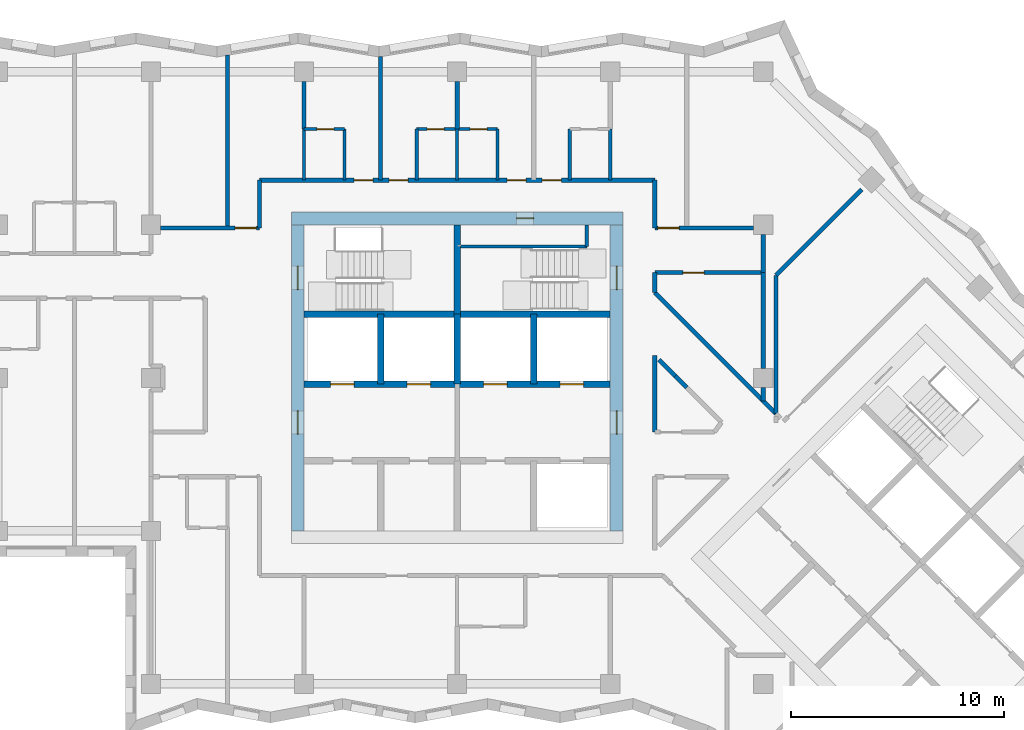
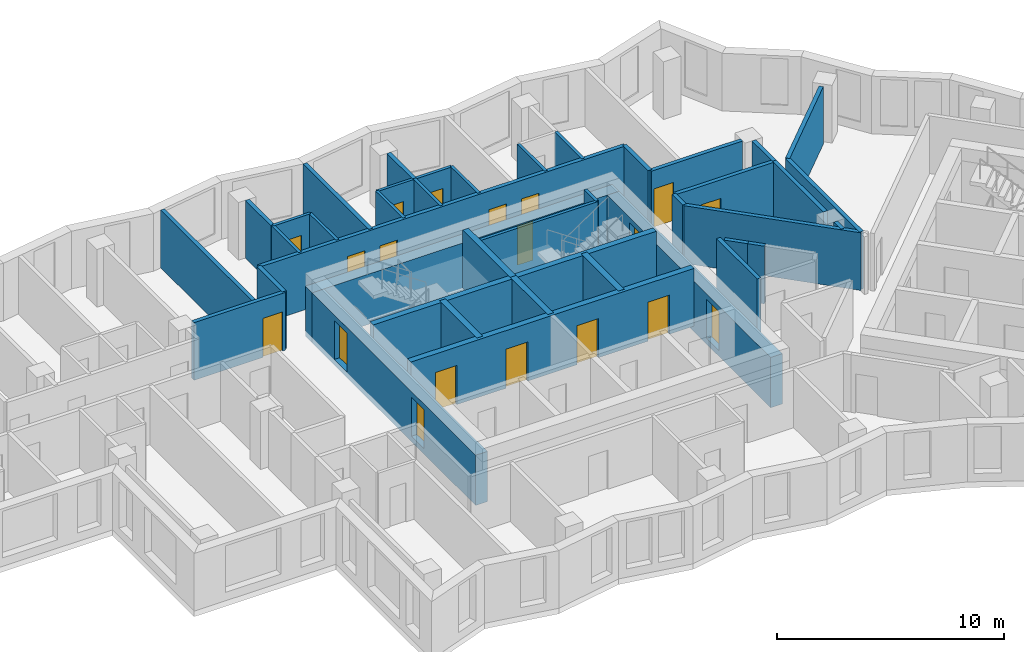
# One storey, part 6 of 13: 41 walls, 19 doors, 19 openings.
"""IFC4 building model written with IfcOpenShell, lengths in metres."""

from ifc_helpers import new_model, si_unit, direction, frame, frame_2d, origin, place, context, subcontext, project, spatial, rectangle, extrude, material, layer, layer_set, type_object, element, fill, save


model = new_model("IFC4")

# Units and contexts
model_context = context("Model", 3, precision=1e-05, world=origin(), true_north=direction((0.0, 1.0)))
body_context = subcontext(model_context, "Body", "Model", "MODEL_VIEW")
ifc_project = project(units=[si_unit("LENGTHUNIT", "METRE"), si_unit("AREAUNIT", "SQUARE_METRE"), si_unit("VOLUMEUNIT", "CUBIC_METRE"), si_unit("PLANEANGLEUNIT", "RADIAN"), si_unit("MASSUNIT", "GRAM", prefix="KILO")], contexts=[model_context])

# Site, building, storey
site_placement = place(None, origin())
site = spatial("IfcSite", under=ifc_project, at=site_placement, CompositionType="ELEMENT")
building_placement = place(site_placement, origin())
building = spatial("IfcBuilding", under=site, at=building_placement, Name="Windrow Commons", CompositionType="ELEMENT")
storey_placement = place(building_placement, frame((0.0, 0.0, 172.8)))
storey = spatial("IfcBuildingStorey", under=building, at=storey_placement, Name="L47", CompositionType="ELEMENT", Elevation=172.8)

# Wall, openings, doors
ifc_material_1 = material(Name="Blockwork partition", Category="masonry")
ifc_layer_1 = layer(ifc_material_1, 0.2)
ifc_layer_set_1 = layer_set([ifc_layer_1], Name="IW-CORRIDOR-200")
wall_type_1 = type_object("IfcWallType", Name="IW-CORRIDOR-200", PredefinedType="PARTITIONING", material=ifc_layer_set_1)
wall_1_placement = place(storey_placement, frame((55.5, 66.9, 0.0), z_axis=(0.0, 0.0, 1.0), x_axis=(1.0, 0.0, 0.0)))
wall_1 = element("IfcWall", 1, at=wall_1_placement, inside=storey, type_object=wall_type_1, Name="W-L47-W002", PredefinedType="PARTITIONING", context=body_context, shape_type="SweptSolid", body=[
    extrude(rectangle(XDim=18.6, YDim=0.2, at=frame_2d((9.3, 0.0))), origin(), (0.0, 0.0, 1.0), 3.1),
])
opening_1_placement = place(wall_1_placement, frame((4.45, 0.0, 0.0)))
opening_1 = element("IfcOpeningElement", 2, at=opening_1_placement, cuts=wall_1, Name="Opening D109S", PredefinedType="OPENING", context=body_context, shape_type="SweptSolid", body=[
    extrude(rectangle(XDim=0.9, YDim=2.1, at=frame_2d((0.45, 1.05))), frame((0.0, 0.11, 0.0), z_axis=(0.0, -1.0, 0.0), x_axis=(1.0, 0.0, 0.0)), (0.0, 0.0, 1.0), 0.22),
])
opening_2_placement = place(wall_1_placement, frame((6.1, 0.0, 0.0)))
opening_2 = element("IfcOpeningElement", 3, at=opening_2_placement, cuts=wall_1, Name="Opening D109S", PredefinedType="OPENING", context=body_context, shape_type="SweptSolid", body=[
    extrude(rectangle(XDim=0.9, YDim=2.1, at=frame_2d((0.45, 1.05))), frame((0.0, 0.11, 0.0), z_axis=(0.0, -1.0, 0.0), x_axis=(1.0, 0.0, 0.0)), (0.0, 0.0, 1.0), 0.22),
])
opening_3_placement = place(wall_1_placement, frame((11.65, 0.0, 0.0)))
opening_3 = element("IfcOpeningElement", 4, at=opening_3_placement, cuts=wall_1, Name="Opening D109S", PredefinedType="OPENING", context=body_context, shape_type="SweptSolid", body=[
    extrude(rectangle(XDim=0.9, YDim=2.1, at=frame_2d((0.45, 1.05))), frame((0.0, 0.11, 0.0), z_axis=(0.0, -1.0, 0.0), x_axis=(1.0, 0.0, 0.0)), (0.0, 0.0, 1.0), 0.22),
])
opening_4_placement = place(wall_1_placement, frame((13.3, 0.0, 0.0)))
opening_4 = element("IfcOpeningElement", 5, at=opening_4_placement, cuts=wall_1, Name="Opening D109S", PredefinedType="OPENING", context=body_context, shape_type="SweptSolid", body=[
    extrude(rectangle(XDim=0.9, YDim=2.1, at=frame_2d((0.45, 1.05))), frame((0.0, 0.11, 0.0), z_axis=(0.0, -1.0, 0.0), x_axis=(1.0, 0.0, 0.0)), (0.0, 0.0, 1.0), 0.22),
])
ifc_material_2 = material(Name="Timber door leaf", Category="wood")
door_type_1 = type_object("IfcDoorType", Name="DT-BEDROOM-900", OperationType="SINGLE_SWING_LEFT", PredefinedType="DOOR", material=ifc_material_2)
door_1_placement = place(opening_1_placement, origin())
door_1 = element("IfcDoor", 6, at=door_1_placement, inside=storey, type_object=door_type_1, Name="D-L47-D028", OperationType="SINGLE_SWING_RIGHT", OverallHeight=2.1, OverallWidth=0.9, PredefinedType="DOOR", context=body_context, shape_type="SweptSolid", body=[
    extrude(rectangle(XDim=0.9, YDim=2.1, at=frame_2d((0.45, 1.05))), frame((0.0, 0.025, 0.0), z_axis=(0.0, -1.0, 0.0), x_axis=(1.0, 0.0, 0.0)), (0.0, 0.0, 1.0), 0.05),
])
fill(opening_1, door_1)
door_2_placement = place(opening_2_placement, origin())
door_2 = element("IfcDoor", 7, at=door_2_placement, inside=storey, type_object=door_type_1, Name="D-L47-D030", OperationType="SINGLE_SWING_LEFT", OverallHeight=2.1, OverallWidth=0.9, PredefinedType="DOOR", context=body_context, shape_type="SweptSolid", body=[
    extrude(rectangle(XDim=0.9, YDim=2.1, at=frame_2d((0.45, 1.05))), frame((0.0, 0.025, 0.0), z_axis=(0.0, -1.0, 0.0), x_axis=(1.0, 0.0, 0.0)), (0.0, 0.0, 1.0), 0.05),
])
fill(opening_2, door_2)
door_3_placement = place(opening_3_placement, origin())
door_3 = element("IfcDoor", 8, at=door_3_placement, inside=storey, type_object=door_type_1, Name="D-L47-D032", OperationType="SINGLE_SWING_RIGHT", OverallHeight=2.1, OverallWidth=0.9, PredefinedType="DOOR", context=body_context, shape_type="SweptSolid", body=[
    extrude(rectangle(XDim=0.9, YDim=2.1, at=frame_2d((0.45, 1.05))), frame((0.0, 0.025, 0.0), z_axis=(0.0, -1.0, 0.0), x_axis=(1.0, 0.0, 0.0)), (0.0, 0.0, 1.0), 0.05),
])
fill(opening_3, door_3)
door_4_placement = place(opening_4_placement, origin())
door_4 = element("IfcDoor", 9, at=door_4_placement, inside=storey, type_object=door_type_1, Name="D-L47-D034", OperationType="SINGLE_SWING_LEFT", OverallHeight=2.1, OverallWidth=0.9, PredefinedType="DOOR", context=body_context, shape_type="SweptSolid", body=[
    extrude(rectangle(XDim=0.9, YDim=2.1, at=frame_2d((0.45, 1.05))), frame((0.0, 0.025, 0.0), z_axis=(0.0, -1.0, 0.0), x_axis=(1.0, 0.0, 0.0)), (0.0, 0.0, 1.0), 0.05),
])
fill(opening_4, door_4)

# Wall
wall_2_placement = place(storey_placement, frame((74.097, 61.611, 0.0), z_axis=(0.0, 0.0, 1.0), x_axis=(0.7071067812, -0.7071067812, 0.0)))
element("IfcWall", 10, at=wall_2_placement, inside=storey, type_object=wall_type_1, Name="W-L47-W016", PredefinedType="PARTITIONING", context=body_context, shape_type="SweptSolid", body=[
    extrude(rectangle(XDim=8.061, YDim=0.2, at=frame_2d((4.0305, 0.0))), origin(), (0.0, 0.0, 1.0), 3.1),
])

# Wall, opening, door
wall_3_placement = place(storey_placement, frame((74.102, 62.55, 0.0), z_axis=(0.0, 0.0, 1.0), x_axis=(1.0, 0.0, 0.0)))
wall_3 = element("IfcWall", 11, at=wall_3_placement, inside=storey, type_object=wall_type_1, Name="W-L47-W036", PredefinedType="PARTITIONING", context=body_context, shape_type="SweptSolid", body=[
    extrude(rectangle(XDim=5.098, YDim=0.2, at=frame_2d((2.549, 0.0))), origin(), (0.0, 0.0, 1.0), 3.1),
])
opening_5_placement = place(wall_3_placement, frame((1.3192, 0.0, 0.0)))
opening_5 = element("IfcOpeningElement", 12, at=opening_5_placement, cuts=wall_3, Name="Opening D310F", PredefinedType="OPENING", context=body_context, shape_type="SweptSolid", body=[
    extrude(rectangle(XDim=1.0, YDim=2.1, at=frame_2d((0.5, 1.05))), frame((0.0, 0.11, 0.0), z_axis=(0.0, -1.0, 0.0), x_axis=(1.0, 0.0, 0.0)), (0.0, 0.0, 1.0), 0.22),
])
ifc_material_3 = material(Name="Timber door leaf", Category="wood")
door_type_2 = type_object("IfcDoorType", Name="DT-AMENITY-1000", OperationType="SINGLE_SWING_LEFT", PredefinedType="DOOR", material=ifc_material_3)
door_5_placement = place(opening_5_placement, origin())
door_5 = element("IfcDoor", 13, at=door_5_placement, inside=storey, type_object=door_type_2, Name="D-L47-D040", OperationType="SINGLE_SWING_RIGHT", OverallHeight=2.1, OverallWidth=1.0, PredefinedType="DOOR", context=body_context, shape_type="SweptSolid", body=[
    extrude(rectangle(XDim=1.0, YDim=2.1, at=frame_2d((0.5, 1.05))), frame((0.0, 0.025, 0.0), z_axis=(0.0, -1.0, 0.0), x_axis=(1.0, 0.0, 0.0)), (0.0, 0.0, 1.0), 0.05),
])
fill(opening_5, door_5)

wall_4_placement = place(storey_placement, frame((50.85, 64.65, 0.0), z_axis=(0.0, 0.0, 1.0), x_axis=(1.0, 0.0, 0.0)))
wall_4 = element("IfcWall", 14, at=wall_4_placement, inside=storey, type_object=wall_type_1, Name="W-L47-W041", PredefinedType="PARTITIONING", context=body_context, shape_type="SweptSolid", body=[
    extrude(rectangle(XDim=4.65, YDim=0.2, at=frame_2d((2.325, 0.0))), origin(), (0.0, 0.0, 1.0), 3.1),
])
opening_6_placement = place(wall_4_placement, frame((3.5085, 0.0, 0.0)))
opening_6 = element("IfcOpeningElement", 15, at=opening_6_placement, cuts=wall_4, Name="Opening D310F", PredefinedType="OPENING", context=body_context, shape_type="SweptSolid", body=[
    extrude(rectangle(XDim=1.0, YDim=2.1, at=frame_2d((0.5, 1.05))), frame((0.0, 0.11, 0.0), z_axis=(0.0, -1.0, 0.0), x_axis=(1.0, 0.0, 0.0)), (0.0, 0.0, 1.0), 0.22),
])
door_6_placement = place(opening_6_placement, origin())
door_6 = element("IfcDoor", 16, at=door_6_placement, inside=storey, type_object=door_type_2, Name="D-L47-D022", OperationType="SINGLE_SWING_LEFT", OverallHeight=2.1, OverallWidth=1.0, PredefinedType="DOOR", context=body_context, shape_type="SweptSolid", body=[
    extrude(rectangle(XDim=1.0, YDim=2.1, at=frame_2d((0.5, 1.05))), frame((0.0, 0.025, 0.0), z_axis=(0.0, -1.0, 0.0), x_axis=(1.0, 0.0, 0.0)), (0.0, 0.0, 1.0), 0.05),
])
fill(opening_6, door_6)

wall_5_placement = place(storey_placement, frame((74.102, 64.65, 0.0), z_axis=(0.0, 0.0, 1.0), x_axis=(1.0, 0.0, 0.0)))
wall_5 = element("IfcWall", 17, at=wall_5_placement, inside=storey, type_object=wall_type_1, Name="W-L47-W044", PredefinedType="PARTITIONING", context=body_context, shape_type="SweptSolid", body=[
    extrude(rectangle(XDim=4.648, YDim=0.2, at=frame_2d((2.324, 0.0))), origin(), (0.0, 0.0, 1.0), 3.1),
])
opening_7_placement = place(wall_5_placement, frame((0.1395, 0.0, 0.0)))
opening_7 = element("IfcOpeningElement", 18, at=opening_7_placement, cuts=wall_5, Name="Opening D310F", PredefinedType="OPENING", context=body_context, shape_type="SweptSolid", body=[
    extrude(rectangle(XDim=1.0, YDim=2.1, at=frame_2d((0.5, 1.05))), frame((0.0, 0.11, 0.0), z_axis=(0.0, -1.0, 0.0), x_axis=(1.0, 0.0, 0.0)), (0.0, 0.0, 1.0), 0.22),
])
door_7_placement = place(opening_7_placement, origin())
door_7 = element("IfcDoor", 19, at=door_7_placement, inside=storey, type_object=door_type_2, Name="D-L47-D023", OperationType="SINGLE_SWING_RIGHT", OverallHeight=2.1, OverallWidth=1.0, PredefinedType="DOOR", context=body_context, shape_type="SweptSolid", body=[
    extrude(rectangle(XDim=1.0, YDim=2.1, at=frame_2d((0.5, 1.05))), frame((0.0, 0.025, 0.0), z_axis=(0.0, -1.0, 0.0), x_axis=(1.0, 0.0, 0.0)), (0.0, 0.0, 1.0), 0.05),
])
fill(opening_7, door_7)

# Walls
wall_6_placement = place(storey_placement, frame((74.1, 55.05, 0.0), z_axis=(0.0, 0.0, 1.0), x_axis=(0.0, 1.0, 0.0)))
element("IfcWall", 20, at=wall_6_placement, inside=storey, type_object=wall_type_1, Name="W-L47-W054", PredefinedType="PARTITIONING", context=body_context, shape_type="SweptSolid", body=[
    extrude(rectangle(XDim=3.592, YDim=0.2, at=frame_2d((1.796, 0.0))), origin(), (0.0, 0.0, 1.0), 3.1),
])
for number, where, z_axis, x_axis, name in (
    (21, (55.5, 64.652, 0.0), (0.0, 0.0, 1.0), (0.0, 1.0, 0.0), "W-L47-W107"),
    (22, (74.1, 64.652, 0.0), (0.0, 0.0, 1.0), (0.0, 1.0, 0.0), "W-L47-W108"),
):
    element("IfcWall", number, at=place(storey_placement, frame(where, z_axis=z_axis, x_axis=x_axis)), inside=storey, type_object=wall_type_1, Name=name, PredefinedType="PARTITIONING", context=body_context, shape_type="SweptSolid", body=[
        extrude(rectangle(XDim=2.248, YDim=0.2, at=frame_2d((1.124, 0.0))), origin(), (0.0, 0.0, 1.0), 3.1),
    ])
wall_7_placement = place(storey_placement, frame((79.2, 62.55, 0.0), z_axis=(0.0, 0.0, 1.0), x_axis=(0.0, 1.0, 0.0)))
element("IfcWall", 23, at=wall_7_placement, inside=storey, type_object=wall_type_1, Name="W-L47-W127", PredefinedType="PARTITIONING", context=body_context, shape_type="SweptSolid", body=[
    extrude(rectangle(XDim=1.8, YDim=0.2, at=frame_2d((0.9, 0.0))), origin(), (0.0, 0.0, 1.0), 3.1),
])
wall_8_placement = place(storey_placement, frame((74.3004, 58.4444, 0.0), z_axis=(0.0, 0.0, 1.0), x_axis=(0.7080329185, -0.7061794292, 0.0)))
element("IfcWall", 24, at=wall_8_placement, inside=storey, type_object=wall_type_1, Name="W-L47-W131", PredefinedType="PARTITIONING", context=body_context, shape_type="SweptSolid", body=[
    extrude(rectangle(XDim=1.079, YDim=0.2, at=frame_2d((0.5395, 0.0))), origin(), (0.0, 0.0, 1.0), 3.1),
])
wall_9_placement = place(storey_placement, frame((74.1, 61.614, 0.0), z_axis=(0.0, 0.0, 1.0), x_axis=(0.0, 1.0, 0.0)))
element("IfcWall", 25, at=wall_9_placement, inside=storey, type_object=wall_type_1, Name="W-L47-W136", PredefinedType="PARTITIONING", context=body_context, shape_type="SweptSolid", body=[
    extrude(rectangle(XDim=0.936, YDim=0.2, at=frame_2d((0.468, 0.0))), origin(), (0.0, 0.0, 1.0), 3.1),
])
wall_10_placement = place(storey_placement, frame((75.0652, 57.6832, 0.0), z_axis=(0.0, 0.0, 1.0), x_axis=(0.705788785, -0.7084223253, 0.0)))
element("IfcWall", 26, at=wall_10_placement, inside=storey, type_object=wall_type_1, Name="W-L47-W143", PredefinedType="PARTITIONING", context=body_context, shape_type="SweptSolid", body=[
    extrude(rectangle(XDim=0.7594, YDim=0.2, at=frame_2d((0.3797, 0.0))), origin(), (0.0, 0.0, 1.0), 3.1),
])

# Wall, openings, doors
ifc_material_4 = material(Name="Blockwork partition", Category="masonry")
ifc_layer_2 = layer(ifc_material_4, 0.15)
ifc_layer_set_2 = layer_set([ifc_layer_2], Name="IW-ENSUITE-150")
wall_type_2 = type_object("IfcWallType", Name="IW-ENSUITE-150", PredefinedType="PARTITIONING", material=ifc_layer_set_2)
wall_11_placement = place(storey_placement, frame((62.9, 69.3, 0.0), z_axis=(0.0, 0.0, 1.0), x_axis=(1.0, 0.0, 0.0)))
wall_11 = element("IfcWall", 27, at=wall_11_placement, inside=storey, type_object=wall_type_2, Name="W-L47-W052", PredefinedType="PARTITIONING", context=body_context, shape_type="SweptSolid", body=[
    extrude(rectangle(XDim=3.8, YDim=0.15, at=frame_2d((1.9, 0.0))), origin(), (0.0, 0.0, 1.0), 3.1),
])
opening_8_placement = place(wall_11_placement, frame((0.4931, 0.0, 0.0)))
opening_8 = element("IfcOpeningElement", 28, at=opening_8_placement, cuts=wall_11, Name="Opening D208N", PredefinedType="OPENING", context=body_context, shape_type="SweptSolid", body=[
    extrude(rectangle(XDim=0.8, YDim=2.1, at=frame_2d((0.4, 1.05))), frame((0.0, 0.085, 0.0), z_axis=(0.0, -1.0, 0.0), x_axis=(1.0, 0.0, 0.0)), (0.0, 0.0, 1.0), 0.17),
])
opening_9_placement = place(wall_11_placement, frame((2.5069, 0.0, 0.0)))
opening_9 = element("IfcOpeningElement", 29, at=opening_9_placement, cuts=wall_11, Name="Opening D208N", PredefinedType="OPENING", context=body_context, shape_type="SweptSolid", body=[
    extrude(rectangle(XDim=0.8, YDim=2.1, at=frame_2d((0.4, 1.05))), frame((0.0, 0.085, 0.0), z_axis=(0.0, -1.0, 0.0), x_axis=(1.0, 0.0, 0.0)), (0.0, 0.0, 1.0), 0.17),
])
ifc_material_5 = material(Name="Timber door leaf", Category="wood")
door_type_3 = type_object("IfcDoorType", Name="DT-ENSUITE-800", OperationType="SINGLE_SWING_LEFT", PredefinedType="DOOR", material=ifc_material_5)
door_8_placement = place(opening_8_placement, origin())
door_8 = element("IfcDoor", 30, at=door_8_placement, inside=storey, type_object=door_type_3, Name="D-L47-D031", OperationType="SINGLE_SWING_RIGHT", OverallHeight=2.1, OverallWidth=0.8, PredefinedType="DOOR", context=body_context, shape_type="SweptSolid", body=[
    extrude(rectangle(XDim=0.8, YDim=2.1, at=frame_2d((0.4, 1.05))), frame((0.0, 0.025, 0.0), z_axis=(0.0, -1.0, 0.0), x_axis=(1.0, 0.0, 0.0)), (0.0, 0.0, 1.0), 0.05),
])
fill(opening_8, door_8)
door_9_placement = place(opening_9_placement, origin())
door_9 = element("IfcDoor", 31, at=door_9_placement, inside=storey, type_object=door_type_3, Name="D-L47-D033", OperationType="SINGLE_SWING_RIGHT", OverallHeight=2.1, OverallWidth=0.8, PredefinedType="DOOR", context=body_context, shape_type="SweptSolid", body=[
    extrude(rectangle(XDim=0.8, YDim=2.1, at=frame_2d((0.4, 1.05))), frame((0.0, 0.025, 0.0), z_axis=(0.0, -1.0, 0.0), x_axis=(1.0, 0.0, 0.0)), (0.0, 0.0, 1.0), 0.05),
])
fill(opening_9, door_9)

# Walls
for number, where, z_axis, x_axis, name in (
    (32, (57.6, 66.9, 0.0), (0.0, 0.0, 1.0), (0.0, 1.0, 0.0), "W-L47-W086"),
    (33, (59.5, 66.9, 0.0), (0.0, 0.0, 1.0), (0.0, 1.0, 0.0), "W-L47-W087"),
    (34, (62.9, 66.9, 0.0), (0.0, 0.0, 1.0), (0.0, 1.0, 0.0), "W-L47-W088"),
    (35, (64.8, 66.9, 0.0), (0.0, 0.0, 1.0), (0.0, 1.0, 0.0), "W-L47-W089"),
    (36, (66.7, 66.9, 0.0), (0.0, 0.0, 1.0), (0.0, 1.0, 0.0), "W-L47-W090"),
    (37, (70.1, 66.9, 0.0), (0.0, 0.0, 1.0), (0.0, 1.0, 0.0), "W-L47-W091"),
    (38, (72.0, 66.9, 0.0), (0.0, 0.0, 1.0), (0.0, 1.0, 0.0), "W-L47-W092"),
):
    element("IfcWall", number, at=place(storey_placement, frame(where, z_axis=z_axis, x_axis=x_axis)), inside=storey, type_object=wall_type_2, Name=name, PredefinedType="PARTITIONING", context=body_context, shape_type="SweptSolid", body=[
        extrude(rectangle(XDim=2.4, YDim=0.15, at=frame_2d((1.2, 0.0))), origin(), (0.0, 0.0, 1.0), 3.1),
    ])

# Wall, opening, door
wall_12_placement = place(storey_placement, frame((57.6, 69.3, 0.0), z_axis=(0.0, 0.0, 1.0), x_axis=(1.0, 0.0, 0.0)))
wall_12 = element("IfcWall", 39, at=wall_12_placement, inside=storey, type_object=wall_type_2, Name="W-L47-W124", PredefinedType="PARTITIONING", context=body_context, shape_type="SweptSolid", body=[
    extrude(rectangle(XDim=1.9, YDim=0.15, at=frame_2d((0.95, 0.0))), origin(), (0.0, 0.0, 1.0), 3.1),
])
opening_10_placement = place(wall_12_placement, frame((0.6069, 0.0, 0.0)))
opening_10 = element("IfcOpeningElement", 40, at=opening_10_placement, cuts=wall_12, Name="Opening D208N", PredefinedType="OPENING", context=body_context, shape_type="SweptSolid", body=[
    extrude(rectangle(XDim=0.8, YDim=2.1, at=frame_2d((0.4, 1.05))), frame((0.0, 0.085, 0.0), z_axis=(0.0, -1.0, 0.0), x_axis=(1.0, 0.0, 0.0)), (0.0, 0.0, 1.0), 0.17),
])
door_10_placement = place(opening_10_placement, origin())
door_10 = element("IfcDoor", 41, at=door_10_placement, inside=storey, type_object=door_type_3, Name="D-L47-D029", OperationType="SINGLE_SWING_RIGHT", OverallHeight=2.1, OverallWidth=0.8, PredefinedType="DOOR", context=body_context, shape_type="SweptSolid", body=[
    extrude(rectangle(XDim=0.8, YDim=2.1, at=frame_2d((0.4, 1.05))), frame((0.0, 0.025, 0.0), z_axis=(0.0, -1.0, 0.0), x_axis=(1.0, 0.0, 0.0)), (0.0, 0.0, 1.0), 0.05),
])
fill(opening_10, door_10)

# Walls
ifc_material_6 = material(Name="Blockwork partition", Category="masonry")
ifc_layer_3 = layer(ifc_material_6, 0.2)
ifc_layer_set_3 = layer_set([ifc_layer_3], Name="IW-PARTY-200")
wall_type_3 = type_object("IfcWallType", Name="IW-PARTY-200", PredefinedType="PARTITIONING", material=ifc_layer_set_3)
wall_13_placement = place(storey_placement, frame((54.0, 64.65, 0.0), z_axis=(0.0, 0.0, 1.0), x_axis=(0.0, 1.0, 0.0)))
element("IfcWall", 42, at=wall_13_placement, inside=storey, type_object=wall_type_3, Name="W-L47-W015", PredefinedType="PARTITIONING", context=body_context, shape_type="SweptSolid", body=[
    extrude(rectangle(XDim=8.1261, YDim=0.2, at=frame_2d((4.063, 0.0))), origin(), (0.0, 0.0, 1.0), 3.1),
])
wall_14_placement = place(storey_placement, frame((79.8, 55.914, 0.0), z_axis=(0.0, 0.0, 1.0), x_axis=(0.0, 1.0, 0.0)))
element("IfcWall", 43, at=wall_14_placement, inside=storey, type_object=wall_type_3, Name="W-L47-W021", PredefinedType="PARTITIONING", context=body_context, shape_type="SweptSolid", body=[
    extrude(rectangle(XDim=6.504, YDim=0.2, at=frame_2d((3.252, 0.0))), origin(), (0.0, 0.0, 1.0), 3.1),
])
wall_15_placement = place(storey_placement, frame((61.2, 66.9, 0.0), z_axis=(0.0, 0.0, 1.0), x_axis=(0.0, 1.0, 0.0)))
element("IfcWall", 44, at=wall_15_placement, inside=storey, type_object=wall_type_3, Name="W-L47-W031", PredefinedType="PARTITIONING", context=body_context, shape_type="SweptSolid", body=[
    extrude(rectangle(XDim=5.8048, YDim=0.2, at=frame_2d((2.9024, 0.0))), origin(), (0.0, 0.0, 1.0), 3.1),
])
wall_16_placement = place(storey_placement, frame((79.7993, 62.4187, 0.0), z_axis=(0.0, 0.0, 1.0), x_axis=(0.7071067812, 0.7071067812, 0.0)))
element("IfcWall", 45, at=wall_16_placement, inside=storey, type_object=wall_type_3, Name="W-L47-W032", PredefinedType="PARTITIONING", context=body_context, shape_type="SweptSolid", body=[
    extrude(rectangle(XDim=5.7163, YDim=0.2, at=frame_2d((2.8582, 0.0))), origin(), (0.0, 0.0, 1.0), 3.1),
])
wall_17_placement = place(storey_placement, frame((79.2, 58.05, 0.0), z_axis=(0.0, 0.0, 1.0), x_axis=(0.0, 1.0, 0.0)))
element("IfcWall", 46, at=wall_17_placement, inside=storey, type_object=wall_type_3, Name="W-L47-W046", PredefinedType="PARTITIONING", context=body_context, shape_type="SweptSolid", body=[
    extrude(rectangle(XDim=4.5, YDim=0.2, at=frame_2d((2.25, 0.0))), origin(), (0.0, 0.0, 1.0), 3.1),
])
for number, where, z_axis, x_axis, name in (
    (47, (57.6, 69.3, 0.0), (0.0, 0.0, 1.0), (0.0, 1.0, 0.0), "W-L47-W103"),
    (48, (64.8, 69.3, 0.0), (0.0, 0.0, 1.0), (0.0, 1.0, 0.0), "W-L47-W105"),
):
    element("IfcWall", number, at=place(storey_placement, frame(where, z_axis=z_axis, x_axis=x_axis)), inside=storey, type_object=wall_type_3, Name=name, PredefinedType="PARTITIONING", context=body_context, shape_type="SweptSolid", body=[
        extrude(rectangle(XDim=2.25, YDim=0.2, at=frame_2d((1.125, 0.0))), origin(), (0.0, 0.0, 1.0), 3.1),
    ])
wall_18_placement = place(storey_placement, frame((79.2, 56.514, 0.0), z_axis=(0.0, 0.0, 1.0), x_axis=(0.0, 1.0, 0.0)))
element("IfcWall", 49, at=wall_18_placement, inside=storey, type_object=wall_type_3, Name="W-L47-W148", PredefinedType="PARTITIONING", context=body_context, shape_type="SweptSolid", body=[
    extrude(rectangle(XDim=0.636, YDim=0.2, at=frame_2d((0.318, 0.0))), origin(), (0.0, 0.0, 1.0), 3.1),
])

# Wall, opening, door
ifc_material_7 = material(Name="Concrete C50/60", Category="concrete")
ifc_layer_4 = layer(ifc_material_7, 0.6)
ifc_layer_set_4 = layer_set([ifc_layer_4], Name="RC CORE WALL 600 C50/60")
wall_type_4 = type_object("IfcWallType", Name="RC CORE WALL 600 C50/60", PredefinedType="SHEAR", material=ifc_layer_set_4)
wall_19_placement = place(storey_placement, frame((57.0, 65.1, -0.3), z_axis=(0.0, 0.0, 1.0), x_axis=(1.0, 0.0, 0.0)))
wall_19 = element("IfcWall", 50, at=wall_19_placement, inside=storey, type_object=wall_type_4, Name="Core A wall outer-N", PredefinedType="SHEAR", context=body_context, shape_type="SweptSolid", body=[
    extrude(rectangle(XDim=15.6, YDim=0.6, at=frame_2d((7.8, 0.0))), origin(), (0.0, 0.0, 1.0), 2.7),
])
opening_11_placement = place(wall_19_placement, frame((10.6, 0.0, 0.3)))
opening_11 = element("IfcOpeningElement", 51, at=opening_11_placement, cuts=wall_19, Name="Opening D9", PredefinedType="OPENING", context=body_context, shape_type="SweptSolid", body=[
    extrude(rectangle(XDim=0.8, YDim=2.1, at=frame_2d((0.4, 1.05))), frame((0.0, 0.31, 0.0), z_axis=(0.0, -1.0, 0.0), x_axis=(1.0, 0.0, 0.0)), (0.0, 0.0, 1.0), 0.62),
])
ifc_material_8 = material(Name="Steel fire door leaf", Category="steel")
door_type_4 = type_object("IfcDoorType", Name="Riser access door 800", OperationType="SINGLE_SWING_LEFT", PredefinedType="DOOR", material=ifc_material_8)
door_11_placement = place(opening_11_placement, origin())
door_11 = element("IfcDoor", 52, at=door_11_placement, inside=storey, type_object=door_type_4, Name="Riser access door", OperationType="SINGLE_SWING_RIGHT", OverallHeight=2.1, OverallWidth=0.8, PredefinedType="DOOR", context=body_context, shape_type="SweptSolid", body=[
    extrude(rectangle(XDim=0.8, YDim=2.1, at=frame_2d((0.4, 1.05))), frame((0.0, 0.025, 0.0), z_axis=(0.0, -1.0, 0.0), x_axis=(1.0, 0.0, 0.0)), (0.0, 0.0, 1.0), 0.05),
])
fill(opening_11, door_11)

# Wall, openings, doors
wall_20_placement = place(storey_placement, frame((57.3, 50.4, -0.3), z_axis=(0.0, 0.0, 1.0), x_axis=(0.0, 1.0, 0.0)))
wall_20 = element("IfcWall", 53, at=wall_20_placement, inside=storey, type_object=wall_type_4, Name="Core A wall outer-W", PredefinedType="SHEAR", context=body_context, shape_type="SweptSolid", body=[
    extrude(rectangle(XDim=14.4, YDim=0.6, at=frame_2d((7.2, 0.0))), origin(), (0.0, 0.0, 1.0), 2.7),
])
opening_12_placement = place(wall_20_placement, frame((4.55, 0.0, 0.3)))
opening_12 = element("IfcOpeningElement", 54, at=opening_12_placement, cuts=wall_20, Name="Opening D6", PredefinedType="OPENING", context=body_context, shape_type="SweptSolid", body=[
    extrude(rectangle(XDim=1.1, YDim=2.1, at=frame_2d((0.55, 1.05))), frame((0.0, 0.31, 0.0), z_axis=(0.0, -1.0, 0.0), x_axis=(1.0, 0.0, 0.0)), (0.0, 0.0, 1.0), 0.62),
])
opening_13_placement = place(wall_20_placement, frame((11.35, 0.0, 0.3)))
opening_13 = element("IfcOpeningElement", 55, at=opening_13_placement, cuts=wall_20, Name="Opening D7", PredefinedType="OPENING", context=body_context, shape_type="SweptSolid", body=[
    extrude(rectangle(XDim=1.1, YDim=2.1, at=frame_2d((0.55, 1.05))), frame((0.0, 0.31, 0.0), z_axis=(0.0, -1.0, 0.0), x_axis=(1.0, 0.0, 0.0)), (0.0, 0.0, 1.0), 0.62),
])
ifc_material_9 = material(Name="Steel fire door leaf", Category="steel")
door_type_5 = type_object("IfcDoorType", Name="Core lobby door 1100", OperationType="SINGLE_SWING_LEFT", PredefinedType="DOOR", material=ifc_material_9)
door_12_placement = place(opening_12_placement, origin())
door_12 = element("IfcDoor", 56, at=door_12_placement, inside=storey, type_object=door_type_5, Name="Lift lobby door", OperationType="DOUBLE_DOOR_SINGLE_SWING", OverallHeight=2.1, OverallWidth=1.1, PredefinedType="DOOR", context=body_context, shape_type="SweptSolid", body=[
    extrude(rectangle(XDim=1.1, YDim=2.1, at=frame_2d((0.55, 1.05))), frame((0.0, 0.025, 0.0), z_axis=(0.0, -1.0, 0.0), x_axis=(1.0, 0.0, 0.0)), (0.0, 0.0, 1.0), 0.05),
])
fill(opening_12, door_12)
ifc_material_10 = material(Name="Steel fire door leaf", Category="steel")
door_type_6 = type_object("IfcDoorType", Name="Stair door 1100", OperationType="SINGLE_SWING_LEFT", PredefinedType="DOOR", material=ifc_material_10)
door_13_placement = place(opening_13_placement, origin())
door_13 = element("IfcDoor", 57, at=door_13_placement, inside=storey, type_object=door_type_6, Name="Stair door", OperationType="SINGLE_SWING_LEFT", OverallHeight=2.1, OverallWidth=1.1, PredefinedType="DOOR", context=body_context, shape_type="SweptSolid", body=[
    extrude(rectangle(XDim=1.1, YDim=2.1, at=frame_2d((0.55, 1.05))), frame((0.0, 0.025, 0.0), z_axis=(0.0, -1.0, 0.0), x_axis=(1.0, 0.0, 0.0)), (0.0, 0.0, 1.0), 0.05),
])
fill(opening_13, door_13)

wall_21_placement = place(storey_placement, frame((72.3, 50.4, -0.3), z_axis=(0.0, 0.0, 1.0), x_axis=(0.0, 1.0, 0.0)))
wall_21 = element("IfcWall", 58, at=wall_21_placement, inside=storey, type_object=wall_type_4, Name="Core A wall outer-E", PredefinedType="SHEAR", context=body_context, shape_type="SweptSolid", body=[
    extrude(rectangle(XDim=14.4, YDim=0.6, at=frame_2d((7.2, 0.0))), origin(), (0.0, 0.0, 1.0), 2.7),
])
opening_14_placement = place(wall_21_placement, frame((4.55, 0.0, 0.3)))
opening_14 = element("IfcOpeningElement", 59, at=opening_14_placement, cuts=wall_21, Name="Opening D6", PredefinedType="OPENING", context=body_context, shape_type="SweptSolid", body=[
    extrude(rectangle(XDim=1.1, YDim=2.1, at=frame_2d((0.55, 1.05))), frame((0.0, 0.31, 0.0), z_axis=(0.0, -1.0, 0.0), x_axis=(1.0, 0.0, 0.0)), (0.0, 0.0, 1.0), 0.62),
])
opening_15_placement = place(wall_21_placement, frame((11.35, 0.0, 0.3)))
opening_15 = element("IfcOpeningElement", 60, at=opening_15_placement, cuts=wall_21, Name="Opening D7", PredefinedType="OPENING", context=body_context, shape_type="SweptSolid", body=[
    extrude(rectangle(XDim=1.1, YDim=2.1, at=frame_2d((0.55, 1.05))), frame((0.0, 0.31, 0.0), z_axis=(0.0, -1.0, 0.0), x_axis=(1.0, 0.0, 0.0)), (0.0, 0.0, 1.0), 0.62),
])
door_14_placement = place(opening_14_placement, origin())
door_14 = element("IfcDoor", 61, at=door_14_placement, inside=storey, type_object=door_type_5, Name="Lift lobby door", OperationType="DOUBLE_DOOR_SINGLE_SWING", OverallHeight=2.1, OverallWidth=1.1, PredefinedType="DOOR", context=body_context, shape_type="SweptSolid", body=[
    extrude(rectangle(XDim=1.1, YDim=2.1, at=frame_2d((0.55, 1.05))), frame((0.0, 0.025, 0.0), z_axis=(0.0, -1.0, 0.0), x_axis=(1.0, 0.0, 0.0)), (0.0, 0.0, 1.0), 0.05),
])
fill(opening_14, door_14)
door_15_placement = place(opening_15_placement, origin())
door_15 = element("IfcDoor", 62, at=door_15_placement, inside=storey, type_object=door_type_6, Name="Stair door", OperationType="SINGLE_SWING_RIGHT", OverallHeight=2.1, OverallWidth=1.1, PredefinedType="DOOR", context=body_context, shape_type="SweptSolid", body=[
    extrude(rectangle(XDim=1.1, YDim=2.1, at=frame_2d((0.55, 1.05))), frame((0.0, 0.025, 0.0), z_axis=(0.0, -1.0, 0.0), x_axis=(1.0, 0.0, 0.0)), (0.0, 0.0, 1.0), 0.05),
])
fill(opening_15, door_15)

# Walls
ifc_material_11 = material(Name="Concrete C50/60", Category="concrete")
ifc_layer_5 = layer(ifc_material_11, 0.3)
ifc_layer_set_5 = layer_set([ifc_layer_5], Name="RC SHAFT WALL 300 C50/60")
wall_type_5 = type_object("IfcWallType", Name="RC SHAFT WALL 300 C50/60", PredefinedType="SOLIDWALL", material=ifc_layer_set_5)
for number, where, z_axis, x_axis, name in (
    (63, (61.2, 57.3, 0.0), (0.0, 0.0, 1.0), (0.0, 1.0, 0.0), "Core A wall shaft-N1"),
    (64, (64.8, 57.3, 0.0), (0.0, 0.0, 1.0), (0.0, 1.0, 0.0), "Core A wall shaft-N2"),
    (65, (68.4, 57.3, 0.0), (0.0, 0.0, 1.0), (0.0, 1.0, 0.0), "Core A wall shaft-N3"),
):
    element("IfcWall", number, at=place(storey_placement, frame(where, z_axis=z_axis, x_axis=x_axis)), inside=storey, type_object=wall_type_5, Name=name, PredefinedType="SOLIDWALL", context=body_context, shape_type="SweptSolid", body=[
        extrude(rectangle(XDim=3.3, YDim=0.3, at=frame_2d((1.65, 0.0))), origin(), (0.0, 0.0, 1.0), 3.1),
    ])

# Wall, openings, doors
wall_22_placement = place(storey_placement, frame((57.6, 57.3, 0.0), z_axis=(0.0, 0.0, 1.0), x_axis=(1.0, 0.0, 0.0)))
wall_22 = element("IfcWall", 66, at=wall_22_placement, inside=storey, type_object=wall_type_5, Name="Core A wall lobby-N", PredefinedType="SOLIDWALL", context=body_context, shape_type="SweptSolid", body=[
    extrude(rectangle(XDim=14.4, YDim=0.3, at=frame_2d((7.2, 0.0))), origin(), (0.0, 0.0, 1.0), 3.1),
])
opening_16_placement = place(wall_22_placement, frame((1.25, 0.0, 0.0)))
opening_16 = element("IfcOpeningElement", 67, at=opening_16_placement, cuts=wall_22, Name="Opening LD", PredefinedType="OPENING", context=body_context, shape_type="SweptSolid", body=[
    extrude(rectangle(XDim=1.1, YDim=2.1, at=frame_2d((0.55, 1.05))), frame((0.0, 0.16, 0.0), z_axis=(0.0, -1.0, 0.0), x_axis=(1.0, 0.0, 0.0)), (0.0, 0.0, 1.0), 0.32),
])
opening_17_placement = place(wall_22_placement, frame((4.85, 0.0, 0.0)))
opening_17 = element("IfcOpeningElement", 68, at=opening_17_placement, cuts=wall_22, Name="Opening LD", PredefinedType="OPENING", context=body_context, shape_type="SweptSolid", body=[
    extrude(rectangle(XDim=1.1, YDim=2.1, at=frame_2d((0.55, 1.05))), frame((0.0, 0.16, 0.0), z_axis=(0.0, -1.0, 0.0), x_axis=(1.0, 0.0, 0.0)), (0.0, 0.0, 1.0), 0.32),
])
opening_18_placement = place(wall_22_placement, frame((8.45, 0.0, 0.0)))
opening_18 = element("IfcOpeningElement", 69, at=opening_18_placement, cuts=wall_22, Name="Opening LD", PredefinedType="OPENING", context=body_context, shape_type="SweptSolid", body=[
    extrude(rectangle(XDim=1.1, YDim=2.1, at=frame_2d((0.55, 1.05))), frame((0.0, 0.16, 0.0), z_axis=(0.0, -1.0, 0.0), x_axis=(1.0, 0.0, 0.0)), (0.0, 0.0, 1.0), 0.32),
])
opening_19_placement = place(wall_22_placement, frame((12.05, 0.0, 0.0)))
opening_19 = element("IfcOpeningElement", 70, at=opening_19_placement, cuts=wall_22, Name="Opening LD", PredefinedType="OPENING", context=body_context, shape_type="SweptSolid", body=[
    extrude(rectangle(XDim=1.1, YDim=2.1, at=frame_2d((0.55, 1.05))), frame((0.0, 0.16, 0.0), z_axis=(0.0, -1.0, 0.0), x_axis=(1.0, 0.0, 0.0)), (0.0, 0.0, 1.0), 0.32),
])
ifc_material_12 = material(Name="Stainless steel door leaf", Category="steel")
door_type_7 = type_object("IfcDoorType", Name="Lift landing door 1100", OperationType="SLIDING_TO_LEFT", PredefinedType="DOOR", material=ifc_material_12)
door_16_placement = place(opening_16_placement, origin())
door_16 = element("IfcDoor", 71, at=door_16_placement, inside=storey, type_object=door_type_7, Name="Lift landing door", OperationType="SLIDING_TO_LEFT", OverallHeight=2.1, OverallWidth=1.1, PredefinedType="DOOR", context=body_context, shape_type="SweptSolid", body=[
    extrude(rectangle(XDim=1.1, YDim=2.1, at=frame_2d((0.55, 1.05))), frame((0.0, 0.025, 0.0), z_axis=(0.0, -1.0, 0.0), x_axis=(1.0, 0.0, 0.0)), (0.0, 0.0, 1.0), 0.05),
])
fill(opening_16, door_16)
door_17_placement = place(opening_17_placement, origin())
door_17 = element("IfcDoor", 72, at=door_17_placement, inside=storey, type_object=door_type_7, Name="Lift landing door", OperationType="SLIDING_TO_RIGHT", OverallHeight=2.1, OverallWidth=1.1, PredefinedType="DOOR", context=body_context, shape_type="SweptSolid", body=[
    extrude(rectangle(XDim=1.1, YDim=2.1, at=frame_2d((0.55, 1.05))), frame((0.0, 0.025, 0.0), z_axis=(0.0, -1.0, 0.0), x_axis=(1.0, 0.0, 0.0)), (0.0, 0.0, 1.0), 0.05),
])
fill(opening_17, door_17)
door_18_placement = place(opening_18_placement, origin())
door_18 = element("IfcDoor", 73, at=door_18_placement, inside=storey, type_object=door_type_7, Name="Lift landing door", OperationType="SLIDING_TO_LEFT", OverallHeight=2.1, OverallWidth=1.1, PredefinedType="DOOR", context=body_context, shape_type="SweptSolid", body=[
    extrude(rectangle(XDim=1.1, YDim=2.1, at=frame_2d((0.55, 1.05))), frame((0.0, 0.025, 0.0), z_axis=(0.0, -1.0, 0.0), x_axis=(1.0, 0.0, 0.0)), (0.0, 0.0, 1.0), 0.05),
])
fill(opening_18, door_18)
door_19_placement = place(opening_19_placement, origin())
door_19 = element("IfcDoor", 74, at=door_19_placement, inside=storey, type_object=door_type_7, Name="Lift landing door", OperationType="SLIDING_TO_RIGHT", OverallHeight=2.1, OverallWidth=1.1, PredefinedType="DOOR", context=body_context, shape_type="SweptSolid", body=[
    extrude(rectangle(XDim=1.1, YDim=2.1, at=frame_2d((0.55, 1.05))), frame((0.0, 0.025, 0.0), z_axis=(0.0, -1.0, 0.0), x_axis=(1.0, 0.0, 0.0)), (0.0, 0.0, 1.0), 0.05),
])
fill(opening_19, door_19)

# Walls
for number, where, z_axis, x_axis, name in (
    (75, (57.6, 60.6, 0.0), (0.0, 0.0, 1.0), (1.0, 0.0, 0.0), "Core A wall stair-S"),
    (76, (64.8, 60.6, 0.0), (0.0, 0.0, 1.0), (1.0, 0.0, 0.0), "Core A wall stair-S2"),
):
    element("IfcWall", number, at=place(storey_placement, frame(where, z_axis=z_axis, x_axis=x_axis)), inside=storey, type_object=wall_type_5, Name=name, PredefinedType="SOLIDWALL", context=body_context, shape_type="SweptSolid", body=[
        extrude(rectangle(XDim=7.2, YDim=0.3, at=frame_2d((3.6, 0.0))), origin(), (0.0, 0.0, 1.0), 3.1),
    ])
wall_23_placement = place(storey_placement, frame((64.8, 60.6, 0.0), z_axis=(0.0, 0.0, 1.0), x_axis=(0.0, 1.0, 0.0)))
element("IfcWall", 77, at=wall_23_placement, inside=storey, type_object=wall_type_5, Name="Core A wall stair-mid", PredefinedType="SOLIDWALL", context=body_context, shape_type="SweptSolid", body=[
    extrude(rectangle(XDim=4.2, YDim=0.3, at=frame_2d((2.1, 0.0))), origin(), (0.0, 0.0, 1.0), 3.1),
])
ifc_material_13 = material(Name="Blockwork partition", Category="masonry")
ifc_layer_6 = layer(ifc_material_13, 0.15)
ifc_layer_set_6 = layer_set([ifc_layer_6], Name="Riser partition 150")
wall_type_6 = type_object("IfcWallType", Name="Riser partition 150", PredefinedType="PARTITIONING", material=ifc_layer_set_6)
wall_24_placement = place(storey_placement, frame((64.95, 63.78, 0.0), z_axis=(0.0, 0.0, 1.0), x_axis=(1.0, 0.0, 0.0)))
element("IfcWall", 78, at=wall_24_placement, inside=storey, type_object=wall_type_6, Name="W-core-strip-A-L47", PredefinedType="PARTITIONING", context=body_context, shape_type="SweptSolid", body=[
    extrude(rectangle(XDim=5.95, YDim=0.15, at=frame_2d((2.975, 0.0))), origin(), (0.0, 0.0, 1.0), 3.1),
])
wall_25_placement = place(storey_placement, frame((70.9, 63.78, 0.0), z_axis=(0.0, 0.0, 1.0), x_axis=(0.0, 1.0, 0.0)))
element("IfcWall", 79, at=wall_25_placement, inside=storey, type_object=wall_type_6, Name="W-core-stripx-A-L47-1", PredefinedType="PARTITIONING", context=body_context, shape_type="SweptSolid", body=[
    extrude(rectangle(XDim=1.02, YDim=0.15, at=frame_2d((0.51, 0.0))), origin(), (0.0, 0.0, 1.0), 3.1),
])

save(model, "model.ifc")
